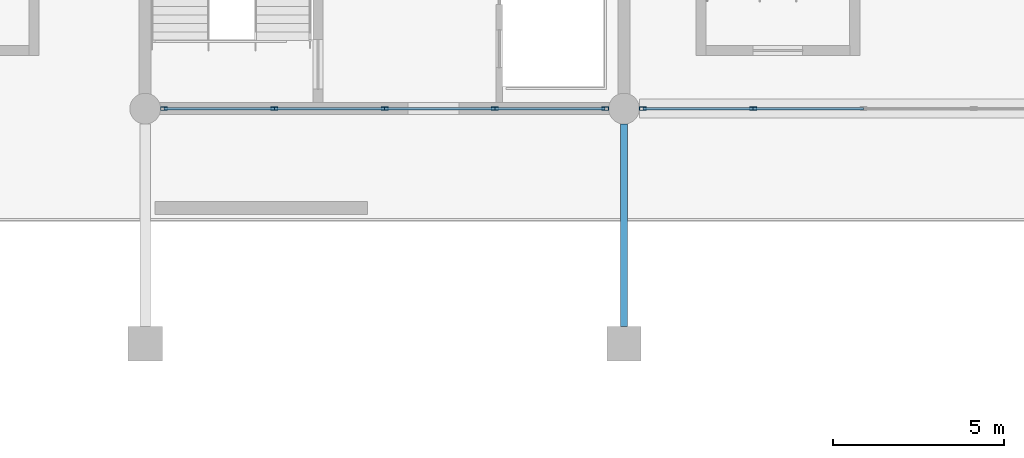
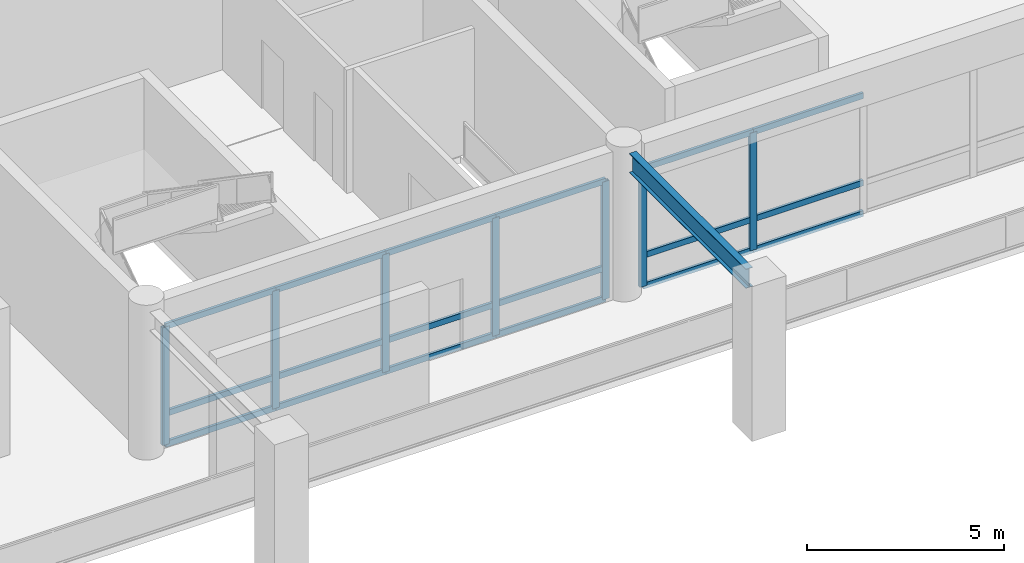
# One storey, part 43 of 91: 25 members, 1 beam, 2 elements without a shape of their own.
"""IFC4 building model written with IfcOpenShell, lengths in metres."""

from ifc_helpers import new_model, si_unit, direction, frame, origin, origin_2d, place, context, subcontext, project, spatial, hollow_rectangle, i_section, extrude, material, material_profile, profile_set, type_object, element, aggregate, save


model = new_model("IFC4")

# Units and contexts
model_context = context("Model", 3, precision=1e-05, world=origin(), true_north=direction((0.0, 1.0)))
body_context = subcontext(model_context, "Body", "Model", "MODEL_VIEW")
ifc_project = project(units=[si_unit("LENGTHUNIT", "METRE"), si_unit("AREAUNIT", "SQUARE_METRE"), si_unit("VOLUMEUNIT", "CUBIC_METRE"), si_unit("PLANEANGLEUNIT", "RADIAN"), si_unit("MASSUNIT", "GRAM", prefix="KILO")], contexts=[model_context])

# Site, building, storey
site_placement = place(None, origin())
site = spatial("IfcSite", under=ifc_project, at=site_placement, CompositionType="ELEMENT")
building_placement = place(site_placement, origin())
building = spatial("IfcBuilding", under=site, at=building_placement, Name="Linyun Crest Stadium", CompositionType="ELEMENT")
storey_placement = place(building_placement, frame((0.0, 0.0, 11.39990234375)))
storey = spatial("IfcBuildingStorey", under=building, at=storey_placement, Name="L03", CompositionType="ELEMENT", Elevation=11.39990234375)

# Beam
ifc_material_1 = material(Name="Steel Q355C", Category="steel")
ifc_material_profile_1 = material_profile(ifc_material_1, i_section(OverallWidth=0.199951171875, OverallDepth=0.60009765625, WebThickness=0.010986328125, FlangeThickness=0.01708984375, at=origin_2d()), Name="HN 600x200")
ifc_profile_set_1 = profile_set([ifc_material_profile_1], Name="Steel Q355C")
beam_type = type_object("IfcBeamType", Name="B11", PredefinedType="BEAM", material=ifc_profile_set_1)
beam_placement = place(storey_placement, frame((-14.0, 85.125, 4.300048828125), z_axis=(0.0, 1.0, 0.0), x_axis=(-1.0, 0.0, 0.0)))
element("IfcBeam", 1, at=beam_placement, inside=storey, type_object=beam_type, Name="Frame beam B11 L03 805", PredefinedType="BEAM", context=body_context, shape_type="SweptSolid", body=[
    extrude(i_section(OverallWidth=0.199951171875, OverallDepth=0.60009765625, WebThickness=0.010986328125, FlangeThickness=0.01708984375, at=origin_2d()), origin(), (0.0, 0.0, 1.0), 5.925048828125),
])

# Curtain wall, members
ifc_material_2 = material(Name="Verdigris steel and low-E curtain wall assembly", Category="steel")
curtain_wall_type = type_object("IfcCurtainWallType", Name="MCW02", PredefinedType="NOTDEFINED", material=ifc_material_2)
curtain_wall_1_placement = place(storey_placement, origin())
curtain_wall_1 = element("IfcCurtainWall", 2, at=curtain_wall_1_placement, inside=storey, type_object=curtain_wall_type, Name="CWR-128", PredefinedType="NOTDEFINED")
ifc_material_3 = material(Name="Verdigris painted steel Q355C mullion", Category="steel")
ifc_material_profile_2 = material_profile(ifc_material_3, hollow_rectangle(XDim=0.10009765625, YDim=0.199951171875, WallThickness=0.008056640625, at=origin_2d()), Name="RHS 200x100x8")
ifc_profile_set_2 = profile_set([ifc_material_profile_2], Name="Verdigris painted steel Q355C mullion")
member_type_1 = type_object("IfcMemberType", Name="ML03", PredefinedType="MULLION", material=ifc_profile_set_2)
member_1_placement = place(storey_placement, frame((-27.449951171875, 91.5, 0.0), z_axis=(0.0, 0.0, 1.0), x_axis=(0.0, 1.0, 0.0)))
member_1 = element("IfcMember", 3, at=member_1_placement, type_object=member_type_1, Name="CWR-128 mullion 1", PredefinedType="MULLION", context=body_context, shape_type="SweptSolid", body=[
    extrude(hollow_rectangle(XDim=0.10009765625, YDim=0.199951171875, WallThickness=0.008056640625, at=origin_2d()), origin(), (0.0, 0.0, 1.0), 3.650146484375),
])
member_2_placement = place(storey_placement, frame((-24.22509765625, 91.5, 0.0), z_axis=(0.0, 0.0, 1.0), x_axis=(0.0, 1.0, 0.0)))
member_2 = element("IfcMember", 4, at=member_2_placement, type_object=member_type_1, Name="CWR-128 mullion 2", PredefinedType="MULLION", context=body_context, shape_type="SweptSolid", body=[
    extrude(hollow_rectangle(XDim=0.10009765625, YDim=0.199951171875, WallThickness=0.008056640625, at=origin_2d()), origin(), (0.0, 0.0, 1.0), 3.650146484375),
])
member_3_placement = place(storey_placement, frame((-21.0, 91.5, 0.0), z_axis=(0.0, 0.0, 1.0), x_axis=(0.0, 1.0, 0.0)))
member_3 = element("IfcMember", 5, at=member_3_placement, type_object=member_type_1, Name="CWR-128 mullion 3", PredefinedType="MULLION", context=body_context, shape_type="SweptSolid", body=[
    extrude(hollow_rectangle(XDim=0.10009765625, YDim=0.199951171875, WallThickness=0.008056640625, at=origin_2d()), origin(), (0.0, 0.0, 1.0), 3.650146484375),
])
member_4_placement = place(storey_placement, frame((-17.77490234375, 91.5, 0.0), z_axis=(0.0, 0.0, 1.0), x_axis=(0.0, 1.0, 0.0)))
member_4 = element("IfcMember", 6, at=member_4_placement, type_object=member_type_1, Name="CWR-128 mullion 4", PredefinedType="MULLION", context=body_context, shape_type="SweptSolid", body=[
    extrude(hollow_rectangle(XDim=0.10009765625, YDim=0.199951171875, WallThickness=0.008056640625, at=origin_2d()), origin(), (0.0, 0.0, 1.0), 3.650146484375),
])
member_5_placement = place(storey_placement, frame((-14.550048828125, 91.5, 0.0), z_axis=(0.0, 0.0, 1.0), x_axis=(0.0, 1.0, 0.0)))
member_5 = element("IfcMember", 7, at=member_5_placement, type_object=member_type_1, Name="CWR-128 mullion 5", PredefinedType="MULLION", context=body_context, shape_type="SweptSolid", body=[
    extrude(hollow_rectangle(XDim=0.10009765625, YDim=0.199951171875, WallThickness=0.008056640625, at=origin_2d()), origin(), (0.0, 0.0, 1.0), 3.650146484375),
])

curtain_wall_2_placement = place(storey_placement, origin())
curtain_wall_2 = element("IfcCurtainWall", 8, at=curtain_wall_2_placement, inside=storey, type_object=curtain_wall_type, Name="CWR-135", PredefinedType="NOTDEFINED")
member_6_placement = place(storey_placement, frame((-13.449951171875, 91.5, 0.0), z_axis=(0.0, 0.0, 1.0), x_axis=(0.0, 1.0, 0.0)))
member_6 = element("IfcMember", 9, at=member_6_placement, type_object=member_type_1, Name="CWR-135 mullion 1", PredefinedType="MULLION", context=body_context, shape_type="SweptSolid", body=[
    extrude(hollow_rectangle(XDim=0.10009765625, YDim=0.199951171875, WallThickness=0.008056640625, at=origin_2d()), origin(), (0.0, 0.0, 1.0), 3.650146484375),
])
member_7_placement = place(storey_placement, frame((-10.22509765625, 91.5, 0.0), z_axis=(0.0, 0.0, 1.0), x_axis=(0.0, 1.0, 0.0)))
member_7 = element("IfcMember", 10, at=member_7_placement, type_object=member_type_1, Name="CWR-135 mullion 2", PredefinedType="MULLION", context=body_context, shape_type="SweptSolid", body=[
    extrude(hollow_rectangle(XDim=0.10009765625, YDim=0.199951171875, WallThickness=0.008056640625, at=origin_2d()), origin(), (0.0, 0.0, 1.0), 3.650146484375),
])

# Member
ifc_material_4 = material(Name="Verdigris painted steel Q355B transom", Category="steel")
ifc_material_profile_3 = material_profile(ifc_material_4, hollow_rectangle(XDim=0.080078125, YDim=0.179931640625, WallThickness=0.006103515625, at=origin_2d()), Name="RHS 180x80x6")
ifc_profile_set_3 = profile_set([ifc_material_profile_3], Name="Verdigris painted steel Q355B transom")
member_type_2 = type_object("IfcMemberType", Name="TR02", PredefinedType="USERDEFINED", material=ifc_profile_set_3)
member_8_placement = place(storey_placement, frame((-27.449951171875, 91.5, 0.0), z_axis=(1.0, 0.0, 0.0), x_axis=(0.0, 1.0, 0.0)))
member_8 = element("IfcMember", 11, at=member_8_placement, type_object=member_type_2, Name="CWR-128 transom 1.1", ObjectType="TRANSOM", PredefinedType="USERDEFINED", context=body_context, shape_type="SweptSolid", body=[
    extrude(hollow_rectangle(XDim=0.080078125, YDim=0.179931640625, WallThickness=0.006103515625, at=origin_2d()), origin(), (0.0, 0.0, 1.0), 3.224853515625),
])

member_9_placement = place(storey_placement, frame((-27.449951171875, 91.5, 0.9501953125), z_axis=(1.0, 0.0, 0.0), x_axis=(0.0, 1.0, 0.0)))
member_9 = element("IfcMember", 12, at=member_9_placement, type_object=member_type_2, Name="CWR-128 transom 1.2", ObjectType="TRANSOM", PredefinedType="USERDEFINED", context=body_context, shape_type="SweptSolid", body=[
    extrude(hollow_rectangle(XDim=0.080078125, YDim=0.179931640625, WallThickness=0.006103515625, at=origin_2d()), origin(), (0.0, 0.0, 1.0), 3.224853515625),
])

member_10_placement = place(storey_placement, frame((-27.449951171875, 91.5, 3.650146484375), z_axis=(1.0, 0.0, 0.0), x_axis=(0.0, 1.0, 0.0)))
member_10 = element("IfcMember", 13, at=member_10_placement, type_object=member_type_2, Name="CWR-128 transom 1.3", ObjectType="TRANSOM", PredefinedType="USERDEFINED", context=body_context, shape_type="SweptSolid", body=[
    extrude(hollow_rectangle(XDim=0.080078125, YDim=0.179931640625, WallThickness=0.006103515625, at=origin_2d()), origin(), (0.0, 0.0, 1.0), 3.224853515625),
])

member_11_placement = place(storey_placement, frame((-24.22509765625, 91.5, 0.0), z_axis=(1.0, 0.0, 0.0), x_axis=(0.0, 1.0, 0.0)))
member_11 = element("IfcMember", 14, at=member_11_placement, type_object=member_type_2, Name="CWR-128 transom 2.1", ObjectType="TRANSOM", PredefinedType="USERDEFINED", context=body_context, shape_type="SweptSolid", body=[
    extrude(hollow_rectangle(XDim=0.080078125, YDim=0.179931640625, WallThickness=0.006103515625, at=origin_2d()), origin(), (0.0, 0.0, 1.0), 3.22509765625),
])

member_12_placement = place(storey_placement, frame((-24.22509765625, 91.5, 0.9501953125), z_axis=(1.0, 0.0, 0.0), x_axis=(0.0, 1.0, 0.0)))
member_12 = element("IfcMember", 15, at=member_12_placement, type_object=member_type_2, Name="CWR-128 transom 2.2", ObjectType="TRANSOM", PredefinedType="USERDEFINED", context=body_context, shape_type="SweptSolid", body=[
    extrude(hollow_rectangle(XDim=0.080078125, YDim=0.179931640625, WallThickness=0.006103515625, at=origin_2d()), origin(), (0.0, 0.0, 1.0), 3.22509765625),
])

member_13_placement = place(storey_placement, frame((-24.22509765625, 91.5, 3.650146484375), z_axis=(1.0, 0.0, 0.0), x_axis=(0.0, 1.0, 0.0)))
member_13 = element("IfcMember", 16, at=member_13_placement, type_object=member_type_2, Name="CWR-128 transom 2.3", ObjectType="TRANSOM", PredefinedType="USERDEFINED", context=body_context, shape_type="SweptSolid", body=[
    extrude(hollow_rectangle(XDim=0.080078125, YDim=0.179931640625, WallThickness=0.006103515625, at=origin_2d()), origin(), (0.0, 0.0, 1.0), 3.22509765625),
])

member_14_placement = place(storey_placement, frame((-21.0, 91.5, 0.0), z_axis=(1.0, 0.0, 0.0), x_axis=(0.0, 1.0, 0.0)))
member_14 = element("IfcMember", 17, at=member_14_placement, type_object=member_type_2, Name="CWR-128 transom 3.1", ObjectType="TRANSOM", PredefinedType="USERDEFINED", context=body_context, shape_type="SweptSolid", body=[
    extrude(hollow_rectangle(XDim=0.080078125, YDim=0.179931640625, WallThickness=0.006103515625, at=origin_2d()), origin(), (0.0, 0.0, 1.0), 3.22509765625),
])

member_15_placement = place(storey_placement, frame((-21.0, 91.5, 0.9501953125), z_axis=(1.0, 0.0, 0.0), x_axis=(0.0, 1.0, 0.0)))
member_15 = element("IfcMember", 18, at=member_15_placement, type_object=member_type_2, Name="CWR-128 transom 3.2", ObjectType="TRANSOM", PredefinedType="USERDEFINED", context=body_context, shape_type="SweptSolid", body=[
    extrude(hollow_rectangle(XDim=0.080078125, YDim=0.179931640625, WallThickness=0.006103515625, at=origin_2d()), origin(), (0.0, 0.0, 1.0), 3.22509765625),
])

member_16_placement = place(storey_placement, frame((-21.0, 91.5, 3.650146484375), z_axis=(1.0, 0.0, 0.0), x_axis=(0.0, 1.0, 0.0)))
member_16 = element("IfcMember", 19, at=member_16_placement, type_object=member_type_2, Name="CWR-128 transom 3.3", ObjectType="TRANSOM", PredefinedType="USERDEFINED", context=body_context, shape_type="SweptSolid", body=[
    extrude(hollow_rectangle(XDim=0.080078125, YDim=0.179931640625, WallThickness=0.006103515625, at=origin_2d()), origin(), (0.0, 0.0, 1.0), 3.22509765625),
])

member_17_placement = place(storey_placement, frame((-17.77490234375, 91.5, 0.0), z_axis=(1.0, 0.0, 0.0), x_axis=(0.0, 1.0, 0.0)))
member_17 = element("IfcMember", 20, at=member_17_placement, type_object=member_type_2, Name="CWR-128 transom 4.1", ObjectType="TRANSOM", PredefinedType="USERDEFINED", context=body_context, shape_type="SweptSolid", body=[
    extrude(hollow_rectangle(XDim=0.080078125, YDim=0.179931640625, WallThickness=0.006103515625, at=origin_2d()), origin(), (0.0, 0.0, 1.0), 3.224853515625),
])

member_18_placement = place(storey_placement, frame((-17.77490234375, 91.5, 0.9501953125), z_axis=(1.0, 0.0, 0.0), x_axis=(0.0, 1.0, 0.0)))
member_18 = element("IfcMember", 21, at=member_18_placement, type_object=member_type_2, Name="CWR-128 transom 4.2", ObjectType="TRANSOM", PredefinedType="USERDEFINED", context=body_context, shape_type="SweptSolid", body=[
    extrude(hollow_rectangle(XDim=0.080078125, YDim=0.179931640625, WallThickness=0.006103515625, at=origin_2d()), origin(), (0.0, 0.0, 1.0), 3.224853515625),
])

member_19_placement = place(storey_placement, frame((-17.77490234375, 91.5, 3.650146484375), z_axis=(1.0, 0.0, 0.0), x_axis=(0.0, 1.0, 0.0)))
member_19 = element("IfcMember", 22, at=member_19_placement, type_object=member_type_2, Name="CWR-128 transom 4.3", ObjectType="TRANSOM", PredefinedType="USERDEFINED", context=body_context, shape_type="SweptSolid", body=[
    extrude(hollow_rectangle(XDim=0.080078125, YDim=0.179931640625, WallThickness=0.006103515625, at=origin_2d()), origin(), (0.0, 0.0, 1.0), 3.224853515625),
])

aggregate(curtain_wall_1, [member_1, member_2, member_3, member_4, member_5, member_8, member_9, member_10, member_11, member_12, member_13, member_14, member_15, member_16, member_17, member_18, member_19])

member_20_placement = place(storey_placement, frame((-13.449951171875, 91.5, 0.0), z_axis=(1.0, 0.0, 0.0), x_axis=(0.0, 1.0, 0.0)))
member_20 = element("IfcMember", 23, at=member_20_placement, type_object=member_type_2, Name="CWR-135 transom 1.1", ObjectType="TRANSOM", PredefinedType="USERDEFINED", context=body_context, shape_type="SweptSolid", body=[
    extrude(hollow_rectangle(XDim=0.080078125, YDim=0.179931640625, WallThickness=0.006103515625, at=origin_2d()), origin(), (0.0, 0.0, 1.0), 3.224853515625),
])

member_21_placement = place(storey_placement, frame((-13.449951171875, 91.5, 0.9501953125), z_axis=(1.0, 0.0, 0.0), x_axis=(0.0, 1.0, 0.0)))
member_21 = element("IfcMember", 24, at=member_21_placement, type_object=member_type_2, Name="CWR-135 transom 1.2", ObjectType="TRANSOM", PredefinedType="USERDEFINED", context=body_context, shape_type="SweptSolid", body=[
    extrude(hollow_rectangle(XDim=0.080078125, YDim=0.179931640625, WallThickness=0.006103515625, at=origin_2d()), origin(), (0.0, 0.0, 1.0), 3.224853515625),
])

member_22_placement = place(storey_placement, frame((-13.449951171875, 91.5, 3.650146484375), z_axis=(1.0, 0.0, 0.0), x_axis=(0.0, 1.0, 0.0)))
member_22 = element("IfcMember", 25, at=member_22_placement, type_object=member_type_2, Name="CWR-135 transom 1.3", ObjectType="TRANSOM", PredefinedType="USERDEFINED", context=body_context, shape_type="SweptSolid", body=[
    extrude(hollow_rectangle(XDim=0.080078125, YDim=0.179931640625, WallThickness=0.006103515625, at=origin_2d()), origin(), (0.0, 0.0, 1.0), 3.224853515625),
])

member_23_placement = place(storey_placement, frame((-10.22509765625, 91.5, 0.0), z_axis=(1.0, 0.0, 0.0), x_axis=(0.0, 1.0, 0.0)))
member_23 = element("IfcMember", 26, at=member_23_placement, type_object=member_type_2, Name="CWR-135 transom 2.1", ObjectType="TRANSOM", PredefinedType="USERDEFINED", context=body_context, shape_type="SweptSolid", body=[
    extrude(hollow_rectangle(XDim=0.080078125, YDim=0.179931640625, WallThickness=0.006103515625, at=origin_2d()), origin(), (0.0, 0.0, 1.0), 3.22509765625),
])

member_24_placement = place(storey_placement, frame((-10.22509765625, 91.5, 0.9501953125), z_axis=(1.0, 0.0, 0.0), x_axis=(0.0, 1.0, 0.0)))
member_24 = element("IfcMember", 27, at=member_24_placement, type_object=member_type_2, Name="CWR-135 transom 2.2", ObjectType="TRANSOM", PredefinedType="USERDEFINED", context=body_context, shape_type="SweptSolid", body=[
    extrude(hollow_rectangle(XDim=0.080078125, YDim=0.179931640625, WallThickness=0.006103515625, at=origin_2d()), origin(), (0.0, 0.0, 1.0), 3.22509765625),
])

member_25_placement = place(storey_placement, frame((-10.22509765625, 91.5, 3.650146484375), z_axis=(1.0, 0.0, 0.0), x_axis=(0.0, 1.0, 0.0)))
member_25 = element("IfcMember", 28, at=member_25_placement, type_object=member_type_2, Name="CWR-135 transom 2.3", ObjectType="TRANSOM", PredefinedType="USERDEFINED", context=body_context, shape_type="SweptSolid", body=[
    extrude(hollow_rectangle(XDim=0.080078125, YDim=0.179931640625, WallThickness=0.006103515625, at=origin_2d()), origin(), (0.0, 0.0, 1.0), 3.22509765625),
])

aggregate(curtain_wall_2, [member_6, member_7, member_20, member_21, member_22, member_23, member_24, member_25])

save(model, "model.ifc")
